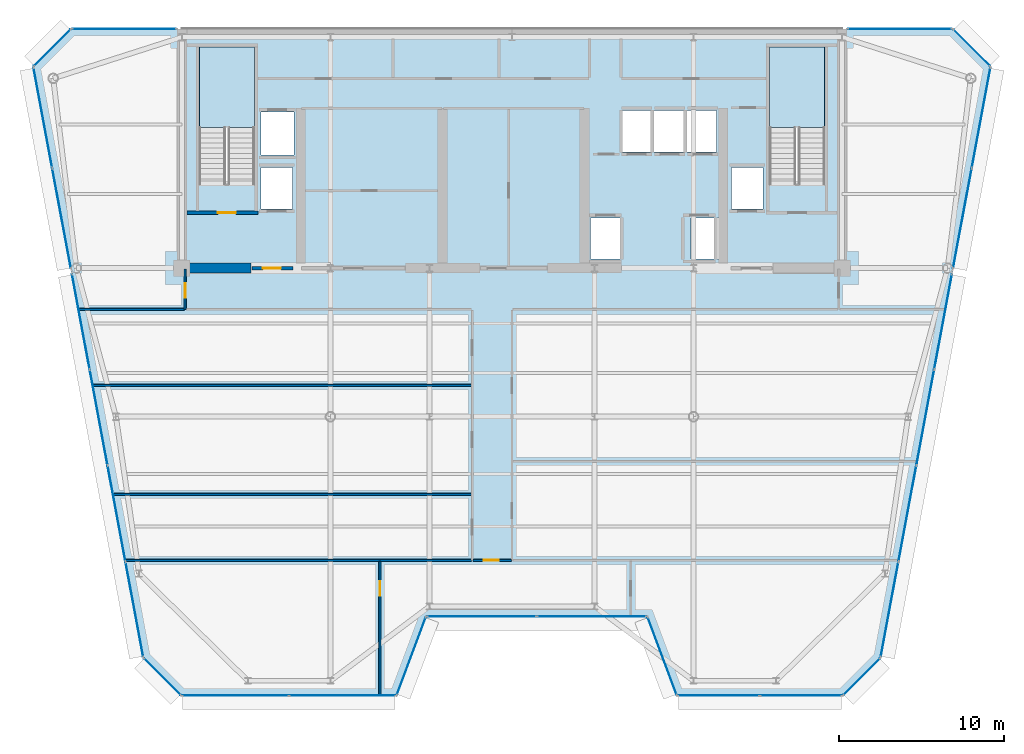
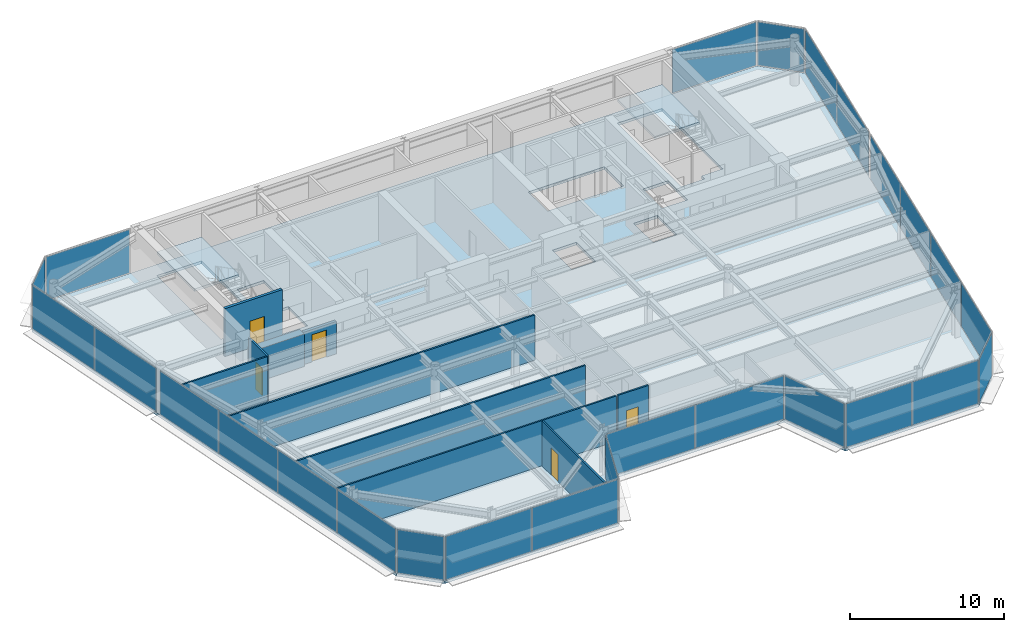
# One storey, part 9 of 18: 26 plates, 10 walls, 5 doors, 3 slabs, 5 openings, 17 elements without a shape of their own.
"""IFC4 building model written with IfcOpenShell, lengths in metres."""

from ifc_helpers import new_model, si_unit, direction, frame, frame_2d, origin, origin_2d, place, context, subcontext, project, spatial, polyline, rectangle, outline, extrude, source, transform, mapped, material, layer, layer_set, type_object, element, fill, aggregate, save


model = new_model("IFC4")

# Units and contexts
model_context = context("Model", 3, precision=1e-05, world=origin(), true_north=direction((0.0, 1.0)))
body_context = subcontext(model_context, "Body", "Model", "MODEL_VIEW")
ifc_project = project(units=[si_unit("LENGTHUNIT", "METRE"), si_unit("AREAUNIT", "SQUARE_METRE"), si_unit("VOLUMEUNIT", "CUBIC_METRE"), si_unit("PLANEANGLEUNIT", "RADIAN"), si_unit("MASSUNIT", "GRAM", prefix="KILO")], contexts=[model_context])

# Site, building, storey
site_placement = place(None, origin())
site = spatial("IfcSite", under=ifc_project, at=site_placement, CompositionType="ELEMENT")
building_placement = place(site_placement, origin())
building = spatial("IfcBuilding", under=site, at=building_placement, Name="Vaeldorn Concourse Tower", CompositionType="ELEMENT")
storey_placement = place(building_placement, frame((0.0, 0.0, 242.199951171875)))
storey = spatial("IfcBuildingStorey", under=building, at=storey_placement, Name="L62", CompositionType="ELEMENT", Elevation=242.199951171875)

# Stair, slab
ifc_material_1 = material(Name="Precast concrete C40/50", Category="concrete")
stair_type = type_object("IfcStairType", Name="STR-DOG-24x158", PredefinedType="HALF_TURN_STAIR", material=ifc_material_1)
stair_1_placement = place(storey_placement, origin())
stair_1 = element("IfcStair", 1, at=stair_1_placement, inside=storey, type_object=stair_type, Name="L62 West Core Exit Stair ST-1", PredefinedType="HALF_TURN_STAIR")
ifc_material_2 = material(Name="Concrete C40/50", Category="concrete")
ifc_layer_1 = layer(ifc_material_2, 0.199951171875)
ifc_layer_set_1 = layer_set([ifc_layer_1], Name="Concrete C40/50")
slab_type_1 = type_object("IfcSlabType", Name="SL-STAIR-LANDING", PredefinedType="LANDING", material=ifc_layer_set_1)
slab_1_placement = place(storey_placement, frame((0.0, 0.0, 1.699951171875)))
slab_1 = element("IfcSlab", 2, at=slab_1_placement, type_object=slab_type_1, Name="ST-1 landing 1", PredefinedType="LANDING", context=body_context, shape_type="SweptSolid", body=[
    extrude(outline(polyline([(18.39990234375, 45.010009765625), (18.39990234375, 49.89990234375), (15.050048828125, 49.89990234375), (15.050048828125, 45.010009765625), (18.39990234375, 45.010009765625)])), origin(), (0.0, 0.0, 1.0), 0.2001953125),
])
aggregate(stair_1, [slab_1])

stair_2_placement = place(storey_placement, origin())
stair_2 = element("IfcStair", 3, at=stair_2_placement, inside=storey, type_object=stair_type, Name="L62 East Core Exit Stair ST-2", PredefinedType="HALF_TURN_STAIR")
slab_2_placement = place(storey_placement, frame((0.0, 0.0, 1.699951171875)))
slab_2 = element("IfcSlab", 4, at=slab_2_placement, type_object=slab_type_1, Name="ST-2 landing 1", PredefinedType="LANDING", context=body_context, shape_type="SweptSolid", body=[
    extrude(outline(polyline([(52.949951171875, 45.010009765625), (52.949951171875, 49.89990234375), (49.60009765625, 49.89990234375), (49.60009765625, 45.010009765625), (52.949951171875, 45.010009765625)])), origin(), (0.0, 0.0, 1.0), 0.2001953125),
])
aggregate(stair_2, [slab_2])

# Slab
ifc_layer_2 = layer(ifc_material_2, 0.219970703125)
ifc_layer_set_2 = layer_set([ifc_layer_2], Name="Concrete C40/50")
slab_type_2 = type_object("IfcSlabType", Name="SL-TYP-220", PredefinedType="FLOOR", material=ifc_layer_set_2)
slab_3_placement = place(storey_placement, frame((0.0, 0.0, -0.219970703125)))
element("IfcSlab", 5, at=slab_3_placement, inside=storey, type_object=slab_type_2, Name="Structural Floor Slab L62", PredefinedType="FLOOR", context=body_context, shape_type="SweptSolid", body=[
    extrude(outline(polyline([(13.966064453125, 10.60009765625), (27.0, 10.60009765625), (28.800048828125, 15.39990234375), (42.199951171875, 15.39990234375), (44.0, 10.60009765625), (54.033935546875, 10.60009765625), (56.333984375, 12.89990234375), (63.0, 48.699951171875), (60.699951171875, 51.0), (7.300048828125, 51.0), (5.0, 48.699951171875), (11.666015625, 12.89990234375), (13.966064453125, 10.60009765625)]), holes=[polyline([(18.39990234375, 42.0), (18.39990234375, 49.89990234375), (15.050048828125, 49.89990234375), (15.050048828125, 41.60009765625), (16.800048828125, 41.60009765625), (16.800048828125, 42.0), (18.39990234375, 42.0)]), polyline([(52.949951171875, 42.0), (52.949951171875, 49.89990234375), (49.60009765625, 49.89990234375), (49.60009765625, 41.60009765625), (51.35009765625, 41.60009765625), (51.35009765625, 42.0), (52.949951171875, 42.0)]), polyline([(38.75, 37.050048828125), (40.550048828125, 37.050048828125), (40.550048828125, 39.550048828125), (38.75, 39.550048828125), (38.75, 37.050048828125)]), polyline([(44.85009765625, 37.050048828125), (46.64990234375, 37.050048828125), (46.64990234375, 39.550048828125), (44.85009765625, 39.550048828125), (44.85009765625, 37.050048828125)]), polyline([(40.699951171875, 43.550048828125), (46.39990234375, 43.550048828125), (46.39990234375, 46.050048828125), (40.699951171875, 46.050048828125), (40.699951171875, 43.550048828125)]), polyline([(18.800048828125, 43.35009765625), (20.800048828125, 43.35009765625), (20.800048828125, 45.949951171875), (18.800048828125, 45.949951171875), (18.800048828125, 43.35009765625)]), polyline([(18.800048828125, 40.10009765625), (20.699951171875, 40.10009765625), (20.699951171875, 42.60009765625), (18.800048828125, 42.60009765625), (18.800048828125, 40.10009765625)]), polyline([(47.300048828125, 40.10009765625), (49.199951171875, 40.10009765625), (49.199951171875, 42.60009765625), (47.300048828125, 42.60009765625), (47.300048828125, 40.10009765625)])]), origin(), (0.0, 0.0, 1.0), 0.219970703125),
])

# Curtain wall, plate
ifc_material_3 = material(Name="Anodised Bronze Aluminium", Category="aluminium")
ifc_layer_3 = layer(ifc_material_3, 0.179931640625)
ifc_layer_set_3 = layer_set([ifc_layer_3], Name="Anodised Bronze Aluminium")
curtain_wall_type = type_object("IfcCurtainWallType", Name="CW-SYS-05", PredefinedType="NOTDEFINED", material=ifc_layer_set_3)
curtain_wall_1_placement = place(storey_placement, origin())
curtain_wall_1 = element("IfcCurtainWall", 6, at=curtain_wall_1_placement, inside=storey, type_object=curtain_wall_type, Name="Unitised Curtain Wall CW-L62-E02-1", PredefinedType="NOTDEFINED")
ifc_material_4 = material(Name="Bronze Tinted Low-E Insulated Glass", Category="glass")
ifc_layer_4 = layer(ifc_material_4, 0.031982421875)
ifc_layer_set_4 = layer_set([ifc_layer_4], Name="Bronze Tinted Low-E Insulated Glass")
plate_type = type_object("IfcPlateType", Name="CWP-VISION-32", PredefinedType="CURTAIN_PANEL", material=ifc_layer_set_4)
shared_shape_1 = source(origin(), body_context, "Body", "SweptSolid", [
    extrude(rectangle(XDim=4.996337890625, YDim=0.031982421875, at=origin_2d()), origin(), (0.0, 0.0, 1.0), 3.449951171875),
])
plate_1_placement = place(storey_placement, frame((27.89990234375, 13.0, 0.06494140625), z_axis=(0.0, 0.0, 1.0), x_axis=(0.351123441595, 0.936329177566, 0.0)))
plate_1 = element("IfcPlate", 7, at=plate_1_placement, type_object=plate_type, Name="CW-05 panel 1.1", PredefinedType="CURTAIN_PANEL", context=body_context, shape_type="MappedRepresentation", body=[
    mapped(shared_shape_1, transform((0.0, 0.0, 0.0), scale=1.0)),
])
aggregate(curtain_wall_1, [plate_1])

curtain_wall_2_placement = place(storey_placement, origin())
curtain_wall_2 = element("IfcCurtainWall", 8, at=curtain_wall_2_placement, inside=storey, type_object=curtain_wall_type, Name="Unitised Curtain Wall CW-L62-E04-1", PredefinedType="NOTDEFINED")
plate_2_placement = place(storey_placement, frame((43.10009765625, 13.0, 0.06494140625), z_axis=(0.0, 0.0, 1.0), x_axis=(0.351123441595, -0.936329177566, 0.0)))
plate_2 = element("IfcPlate", 9, at=plate_2_placement, type_object=plate_type, Name="CW-05 panel 1.1", PredefinedType="CURTAIN_PANEL", context=body_context, shape_type="MappedRepresentation", body=[
    mapped(shared_shape_1, transform((0.0, 0.0, 0.0), scale=1.0)),
])
aggregate(curtain_wall_2, [plate_2])

# Curtain wall, plates
curtain_wall_3_placement = place(storey_placement, origin())
curtain_wall_3 = element("IfcCurtainWall", 10, at=curtain_wall_3_placement, inside=storey, type_object=curtain_wall_type, Name="Unitised Curtain Wall CW-L62-E03-1", PredefinedType="NOTDEFINED")
shared_shape_2 = source(origin(), body_context, "Body", "SweptSolid", [
    extrude(rectangle(XDim=6.6025390625, YDim=0.031982421875, at=origin_2d()), origin(), (0.0, 0.0, 1.0), 3.449951171875),
])
plate_3_placement = place(storey_placement, frame((32.166259765625, 15.39990234375, 0.06494140625), z_axis=(0.0, 0.0, 1.0), x_axis=(1.0, 0.0, 0.0)))
plate_3 = element("IfcPlate", 11, at=plate_3_placement, type_object=plate_type, Name="CW-05 panel 1.1", PredefinedType="CURTAIN_PANEL", context=body_context, shape_type="MappedRepresentation", body=[
    mapped(shared_shape_2, transform((0.0, 0.0, 0.0), scale=1.0)),
])
plate_4_placement = place(storey_placement, frame((38.833740234375, 15.39990234375, 0.06494140625), z_axis=(0.0, 0.0, 1.0), x_axis=(1.0, 0.0, 0.0)))
plate_4 = element("IfcPlate", 12, at=plate_4_placement, type_object=plate_type, Name="CW-05 panel 2.1", PredefinedType="CURTAIN_PANEL", context=body_context, shape_type="MappedRepresentation", body=[
    mapped(shared_shape_2, transform((0.0, 0.0, 0.0), scale=1.0)),
])
aggregate(curtain_wall_3, [plate_3, plate_4])

# Curtain wall, plate
curtain_wall_4_placement = place(storey_placement, origin())
curtain_wall_4 = element("IfcCurtainWall", 13, at=curtain_wall_4_placement, inside=storey, type_object=curtain_wall_type, Name="Unitised Curtain Wall CW-L62-E06-1", PredefinedType="NOTDEFINED")
shared_shape_3 = source(origin(), body_context, "Body", "SweptSolid", [
    extrude(rectangle(XDim=3.122802734375, YDim=0.031982421875, at=origin_2d()), origin(), (0.0, 0.0, 1.0), 3.449951171875),
])
plate_5_placement = place(storey_placement, frame((55.18408203125, 11.75, 0.06494140625), z_axis=(0.0, 0.0, 1.0), x_axis=(0.707106781187, 0.707106781187, 0.0)))
plate_5 = element("IfcPlate", 14, at=plate_5_placement, type_object=plate_type, Name="CW-05 panel 1.1", PredefinedType="CURTAIN_PANEL", context=body_context, shape_type="MappedRepresentation", body=[
    mapped(shared_shape_3, transform((0.0, 0.0, 0.0), scale=1.0)),
])
aggregate(curtain_wall_4, [plate_5])

curtain_wall_5_placement = place(storey_placement, origin())
curtain_wall_5 = element("IfcCurtainWall", 15, at=curtain_wall_5_placement, inside=storey, type_object=curtain_wall_type, Name="Unitised Curtain Wall CW-L62-E08-1", PredefinedType="NOTDEFINED")
plate_6_placement = place(storey_placement, frame((61.85009765625, 49.85009765625, 0.06494140625), z_axis=(0.0, 0.0, 1.0), x_axis=(-0.707106781187, 0.707106781187, 0.0)))
plate_6 = element("IfcPlate", 16, at=plate_6_placement, type_object=plate_type, Name="CW-05 panel 1.1", PredefinedType="CURTAIN_PANEL", context=body_context, shape_type="MappedRepresentation", body=[
    mapped(shared_shape_3, transform((0.0, 0.0, 0.0), scale=1.0)),
])
aggregate(curtain_wall_5, [plate_6])

curtain_wall_6_placement = place(storey_placement, origin())
curtain_wall_6 = element("IfcCurtainWall", 17, at=curtain_wall_6_placement, inside=storey, type_object=curtain_wall_type, Name="Unitised Curtain Wall CW-L62-E10-1", PredefinedType="NOTDEFINED")
plate_7_placement = place(storey_placement, frame((6.14990234375, 49.85009765625, 0.06494140625), z_axis=(0.0, 0.0, 1.0), x_axis=(-0.707106781187, -0.707106781187, 0.0)))
plate_7 = element("IfcPlate", 18, at=plate_7_placement, type_object=plate_type, Name="CW-05 panel 1.1", PredefinedType="CURTAIN_PANEL", context=body_context, shape_type="MappedRepresentation", body=[
    mapped(shared_shape_3, transform((0.0, 0.0, 0.0), scale=1.0)),
])
aggregate(curtain_wall_6, [plate_7])

curtain_wall_7_placement = place(storey_placement, origin())
curtain_wall_7 = element("IfcCurtainWall", 19, at=curtain_wall_7_placement, inside=storey, type_object=curtain_wall_type, Name="Unitised Curtain Wall CW-L62-E12-1", PredefinedType="NOTDEFINED")
plate_8_placement = place(storey_placement, frame((12.81591796875, 11.75, 0.06494140625), z_axis=(0.0, 0.0, 1.0), x_axis=(0.707106781187, -0.707106781187, 0.0)))
plate_8 = element("IfcPlate", 20, at=plate_8_placement, type_object=plate_type, Name="CW-05 panel 1.1", PredefinedType="CURTAIN_PANEL", context=body_context, shape_type="MappedRepresentation", body=[
    mapped(shared_shape_3, transform((0.0, 0.0, 0.0), scale=1.0)),
])
aggregate(curtain_wall_7, [plate_8])

curtain_wall_8_placement = place(storey_placement, origin())
curtain_wall_8 = element("IfcCurtainWall", 21, at=curtain_wall_8_placement, inside=storey, type_object=curtain_wall_type, Name="Unitised Curtain Wall CW-L62-E09-1", PredefinedType="NOTDEFINED")
shared_shape_4 = source(origin(), body_context, "Body", "SweptSolid", [
    extrude(rectangle(XDim=6.27490234375, YDim=0.031982421875, at=origin_2d()), origin(), (0.0, 0.0, 1.0), 3.449951171875),
])
plate_9_placement = place(storey_placement, frame((57.49755859375, 51.0, 0.06494140625), z_axis=(0.0, 0.0, 1.0), x_axis=(-1.0, 0.0, 0.0)))
plate_9 = element("IfcPlate", 22, at=plate_9_placement, type_object=plate_type, Name="CW-05 panel 1.1", PredefinedType="CURTAIN_PANEL", context=body_context, shape_type="MappedRepresentation", body=[
    mapped(shared_shape_4, transform((0.0, 0.0, 0.0), scale=1.0)),
])
aggregate(curtain_wall_8, [plate_9])

curtain_wall_9_placement = place(storey_placement, origin())
curtain_wall_9 = element("IfcCurtainWall", 23, at=curtain_wall_9_placement, inside=storey, type_object=curtain_wall_type, Name="Unitised Curtain Wall CW-L62-E09-2", PredefinedType="NOTDEFINED")
plate_10_placement = place(storey_placement, frame((10.50244140625, 51.0, 0.06494140625), z_axis=(0.0, 0.0, 1.0), x_axis=(-1.0, 0.0, 0.0)))
plate_10 = element("IfcPlate", 24, at=plate_10_placement, type_object=plate_type, Name="CW-05 panel 1.1", PredefinedType="CURTAIN_PANEL", context=body_context, shape_type="MappedRepresentation", body=[
    mapped(shared_shape_4, transform((0.0, 0.0, 0.0), scale=1.0)),
])
aggregate(curtain_wall_9, [plate_10])

# Curtain wall, plates
curtain_wall_10_placement = place(storey_placement, origin())
curtain_wall_10 = element("IfcCurtainWall", 25, at=curtain_wall_10_placement, inside=storey, type_object=curtain_wall_type, Name="Unitised Curtain Wall CW-L62-E07-1", PredefinedType="NOTDEFINED")
shared_shape_5 = source(origin(), body_context, "Body", "SweptSolid", [
    extrude(rectangle(XDim=5.82373046875, YDim=0.031982421875, at=origin_2d()), origin(), (0.0, 0.0, 1.0), 3.449951171875),
])
plate_11_placement = place(storey_placement, frame((56.87890625, 15.82666015625, 0.06494140625), z_axis=(0.0, 0.0, 1.0), x_axis=(0.18305510739, 0.983102653673, 0.0)))
plate_11 = element("IfcPlate", 26, at=plate_11_placement, type_object=plate_type, Name="CW-05 panel 1.1", PredefinedType="CURTAIN_PANEL", context=body_context, shape_type="MappedRepresentation", body=[
    mapped(shared_shape_5, transform((0.0, 0.0, 0.0), scale=1.0)),
])
plate_12_placement = place(storey_placement, frame((60.124755859375, 33.25830078125, 0.06494140625), z_axis=(0.0, 0.0, 1.0), x_axis=(0.18305510739, 0.983102653673, 0.0)))
plate_12 = element("IfcPlate", 27, at=plate_12_placement, type_object=plate_type, Name="CW-05 panel 4.1", PredefinedType="CURTAIN_PANEL", context=body_context, shape_type="MappedRepresentation", body=[
    mapped(shared_shape_5, transform((0.0, 0.0, 0.0), scale=1.0)),
])

curtain_wall_11_placement = place(storey_placement, origin())
curtain_wall_11 = element("IfcCurtainWall", 28, at=curtain_wall_11_placement, inside=storey, type_object=curtain_wall_type, Name="Unitised Curtain Wall CW-L62-E11-2", PredefinedType="NOTDEFINED")
plate_13_placement = place(storey_placement, frame((7.875244140625, 33.25830078125, 0.06494140625), z_axis=(0.0, 0.0, 1.0), x_axis=(0.18305510739, -0.983102653673, 0.0)))
plate_13 = element("IfcPlate", 29, at=plate_13_placement, type_object=plate_type, Name="CW-05 panel 1.1", PredefinedType="CURTAIN_PANEL", context=body_context, shape_type="MappedRepresentation", body=[
    mapped(shared_shape_5, transform((0.0, 0.0, 0.0), scale=1.0)),
])
plate_14_placement = place(storey_placement, frame((11.12109375, 15.82666015625, 0.06494140625), z_axis=(0.0, 0.0, 1.0), x_axis=(0.18305510739, -0.983102653673, 0.0)))
plate_14 = element("IfcPlate", 30, at=plate_14_placement, type_object=plate_type, Name="CW-05 panel 4.1", PredefinedType="CURTAIN_PANEL", context=body_context, shape_type="MappedRepresentation", body=[
    mapped(shared_shape_5, transform((0.0, 0.0, 0.0), scale=1.0)),
])

# Plate
shared_shape_6 = source(origin(), body_context, "Body", "SweptSolid", [
    extrude(rectangle(XDim=5.856201171875, YDim=0.031982421875, at=origin_2d()), origin(), (0.0, 0.0, 1.0), 3.449951171875),
])
plate_15_placement = place(storey_placement, frame((57.9599609375, 21.6318359375, 0.06494140625), z_axis=(0.0, 0.0, 1.0), x_axis=(0.18305510739, 0.983102653673, 0.0)))
plate_15 = element("IfcPlate", 31, at=plate_15_placement, type_object=plate_type, Name="CW-05 panel 2.1", PredefinedType="CURTAIN_PANEL", context=body_context, shape_type="MappedRepresentation", body=[
    mapped(shared_shape_6, transform((0.0, 0.0, 0.0), scale=1.0)),
])

plate_16_placement = place(storey_placement, frame((59.043701171875, 27.453125, 0.06494140625), z_axis=(0.0, 0.0, 1.0), x_axis=(0.18305510739, 0.983102653673, 0.0)))
plate_16 = element("IfcPlate", 32, at=plate_16_placement, type_object=plate_type, Name="CW-05 panel 3.1", PredefinedType="CURTAIN_PANEL", context=body_context, shape_type="MappedRepresentation", body=[
    mapped(shared_shape_6, transform((0.0, 0.0, 0.0), scale=1.0)),
])

aggregate(curtain_wall_10, [plate_11, plate_15, plate_16, plate_12])

plate_17_placement = place(storey_placement, frame((8.956298828125, 27.453125, 0.06494140625), z_axis=(0.0, 0.0, 1.0), x_axis=(0.18305510739, -0.983102653673, 0.0)))
plate_17 = element("IfcPlate", 33, at=plate_17_placement, type_object=plate_type, Name="CW-05 panel 2.1", PredefinedType="CURTAIN_PANEL", context=body_context, shape_type="MappedRepresentation", body=[
    mapped(shared_shape_6, transform((0.0, 0.0, 0.0), scale=1.0)),
])

plate_18_placement = place(storey_placement, frame((10.0400390625, 21.6318359375, 0.06494140625), z_axis=(0.0, 0.0, 1.0), x_axis=(0.18305510739, -0.983102653673, 0.0)))
plate_18 = element("IfcPlate", 34, at=plate_18_placement, type_object=plate_type, Name="CW-05 panel 3.1", PredefinedType="CURTAIN_PANEL", context=body_context, shape_type="MappedRepresentation", body=[
    mapped(shared_shape_6, transform((0.0, 0.0, 0.0), scale=1.0)),
])

aggregate(curtain_wall_11, [plate_13, plate_17, plate_18, plate_14])

# Curtain wall, plates
curtain_wall_12_placement = place(storey_placement, origin())
curtain_wall_12 = element("IfcCurtainWall", 35, at=curtain_wall_12_placement, inside=storey, type_object=curtain_wall_type, Name="Unitised Curtain Wall CW-L62-E07-2", PredefinedType="NOTDEFINED")
shared_shape_7 = source(origin(), body_context, "Body", "SweptSolid", [
    extrude(rectangle(XDim=6.143798828125, YDim=0.031982421875, at=origin_2d()), origin(), (0.0, 0.0, 1.0), 3.449951171875),
])
plate_19_placement = place(storey_placement, frame((61.289306640625, 39.51220703125, 0.06494140625), z_axis=(0.0, 0.0, 1.0), x_axis=(0.183054493257, 0.983102768025, 0.0)))
plate_19 = element("IfcPlate", 36, at=plate_19_placement, type_object=plate_type, Name="CW-05 panel 1.1", PredefinedType="CURTAIN_PANEL", context=body_context, shape_type="MappedRepresentation", body=[
    mapped(shared_shape_7, transform((0.0, 0.0, 0.0), scale=1.0)),
])
plate_20_placement = place(storey_placement, frame((62.42578125, 45.6162109375, 0.06494140625), z_axis=(0.0, 0.0, 1.0), x_axis=(0.183054493257, 0.983102768025, 0.0)))
plate_20 = element("IfcPlate", 37, at=plate_20_placement, type_object=plate_type, Name="CW-05 panel 2.1", PredefinedType="CURTAIN_PANEL", context=body_context, shape_type="MappedRepresentation", body=[
    mapped(shared_shape_7, transform((0.0, 0.0, 0.0), scale=1.0)),
])
aggregate(curtain_wall_12, [plate_19, plate_20])

curtain_wall_13_placement = place(storey_placement, origin())
curtain_wall_13 = element("IfcCurtainWall", 38, at=curtain_wall_13_placement, inside=storey, type_object=curtain_wall_type, Name="Unitised Curtain Wall CW-L62-E11-1", PredefinedType="NOTDEFINED")
plate_21_placement = place(storey_placement, frame((5.57421875, 45.6162109375, 0.06494140625), z_axis=(0.0, 0.0, 1.0), x_axis=(0.183054493257, -0.983102768025, 0.0)))
plate_21 = element("IfcPlate", 39, at=plate_21_placement, type_object=plate_type, Name="CW-05 panel 1.1", PredefinedType="CURTAIN_PANEL", context=body_context, shape_type="MappedRepresentation", body=[
    mapped(shared_shape_7, transform((0.0, 0.0, 0.0), scale=1.0)),
])
plate_22_placement = place(storey_placement, frame((6.710693359375, 39.51220703125, 0.06494140625), z_axis=(0.0, 0.0, 1.0), x_axis=(0.183054493257, -0.983102768025, 0.0)))
plate_22 = element("IfcPlate", 40, at=plate_22_placement, type_object=plate_type, Name="CW-05 panel 2.1", PredefinedType="CURTAIN_PANEL", context=body_context, shape_type="MappedRepresentation", body=[
    mapped(shared_shape_7, transform((0.0, 0.0, 0.0), scale=1.0)),
])
aggregate(curtain_wall_13, [plate_21, plate_22])

curtain_wall_14_placement = place(storey_placement, origin())
curtain_wall_14 = element("IfcCurtainWall", 41, at=curtain_wall_14_placement, inside=storey, type_object=curtain_wall_type, Name="Unitised Curtain Wall CW-L62-E01-1", PredefinedType="NOTDEFINED")
shared_shape_8 = source(origin(), body_context, "Body", "SweptSolid", [
    extrude(rectangle(XDim=6.41943359375, YDim=0.031982421875, at=origin_2d()), origin(), (0.0, 0.0, 1.0), 3.449951171875),
])
plate_23_placement = place(storey_placement, frame((17.24072265625, 10.60009765625, 0.06494140625), z_axis=(0.0, 0.0, 1.0), x_axis=(1.0, 0.0, 0.0)))
plate_23 = element("IfcPlate", 42, at=plate_23_placement, type_object=plate_type, Name="CW-05 panel 1.1", PredefinedType="CURTAIN_PANEL", context=body_context, shape_type="MappedRepresentation", body=[
    mapped(shared_shape_8, transform((0.0, 0.0, 0.0), scale=1.0)),
])
plate_24_placement = place(storey_placement, frame((23.725341796875, 10.60009765625, 0.06494140625), z_axis=(0.0, 0.0, 1.0), x_axis=(1.0, 0.0, 0.0)))
plate_24 = element("IfcPlate", 43, at=plate_24_placement, type_object=plate_type, Name="CW-05 panel 2.1", PredefinedType="CURTAIN_PANEL", context=body_context, shape_type="MappedRepresentation", body=[
    mapped(shared_shape_8, transform((0.0, 0.0, 0.0), scale=1.0)),
])
aggregate(curtain_wall_14, [plate_23, plate_24])

curtain_wall_15_placement = place(storey_placement, origin())
curtain_wall_15 = element("IfcCurtainWall", 44, at=curtain_wall_15_placement, inside=storey, type_object=curtain_wall_type, Name="Unitised Curtain Wall CW-L62-E05-1", PredefinedType="NOTDEFINED")
shared_shape_9 = source(origin(), body_context, "Body", "SweptSolid", [
    extrude(rectangle(XDim=4.91943359375, YDim=0.031982421875, at=origin_2d()), origin(), (0.0, 0.0, 1.0), 3.449951171875),
])
plate_25_placement = place(storey_placement, frame((46.524658203125, 10.60009765625, 0.06494140625), z_axis=(0.0, 0.0, 1.0), x_axis=(1.0, 0.0, 0.0)))
plate_25 = element("IfcPlate", 45, at=plate_25_placement, type_object=plate_type, Name="CW-05 panel 1.1", PredefinedType="CURTAIN_PANEL", context=body_context, shape_type="MappedRepresentation", body=[
    mapped(shared_shape_9, transform((0.0, 0.0, 0.0), scale=1.0)),
])
plate_26_placement = place(storey_placement, frame((51.50927734375, 10.60009765625, 0.06494140625), z_axis=(0.0, 0.0, 1.0), x_axis=(1.0, 0.0, 0.0)))
plate_26 = element("IfcPlate", 46, at=plate_26_placement, type_object=plate_type, Name="CW-05 panel 2.1", PredefinedType="CURTAIN_PANEL", context=body_context, shape_type="MappedRepresentation", body=[
    mapped(shared_shape_9, transform((0.0, 0.0, 0.0), scale=1.0)),
])
aggregate(curtain_wall_15, [plate_25, plate_26])

# Wall
ifc_material_5 = material(Name="Concrete C50/60", Category="concrete")
ifc_layer_5 = layer(ifc_material_5, 0.60009765625)
ifc_layer_set_5 = layer_set([ifc_layer_5], Name="Concrete C50/60")
wall_type_1 = type_object("IfcWallType", Name="WL-CORE-600", PredefinedType="SHEAR", material=ifc_layer_set_5)
wall_1_placement = place(storey_placement, frame((14.320068359375, 36.5, 0.0), z_axis=(0.0, 0.0, 1.0), x_axis=(1.0, 0.0, 0.0)))
element("IfcWall", 47, at=wall_1_placement, inside=storey, type_object=wall_type_1, Name="Rear Core Shear Wall L62 S1", PredefinedType="SHEAR", context=body_context, shape_type="SweptSolid", body=[
    extrude(rectangle(XDim=3.8798828125, YDim=0.60009765625, at=frame_2d((1.93994140625, 0.0))), origin(), (0.0, 0.0, 1.0), 2.580078125),
])

# Wall, opening, door
ifc_material_6 = material(Name="Gypsum Board Partition", Category="gypsum")
ifc_layer_6 = layer(ifc_material_6, 0.1201171875)
ifc_layer_set_6 = layer_set([ifc_layer_6], Name="Gypsum Board Partition")
wall_type_2 = type_object("IfcWallType", Name="WL-PART-120", PredefinedType="PARTITIONING", material=ifc_layer_set_6)
wall_2_placement = place(storey_placement, frame((14.199951171875, 34.0, 0.0), z_axis=(0.0, 0.0, 1.0), x_axis=(0.0, 1.0, 0.0)))
wall_2 = element("IfcWall", 48, at=wall_2_placement, inside=storey, type_object=wall_type_2, Name="Interior Wall PW-L62-C3W", PredefinedType="PARTITIONING", context=body_context, shape_type="SweptSolid", body=[
    extrude(rectangle(XDim=2.43994140625, YDim=0.1201171875, at=frame_2d((1.219970703125, 0.0))), origin(), (0.0, 0.0, 1.0), 3.580078125),
])
opening_1_placement = place(wall_2_placement, frame((0.699951171875, 0.0, 0.0)))
opening_1 = element("IfcOpeningElement", 49, at=opening_1_placement, cuts=wall_2, Name="Opening D-03", PredefinedType="OPENING", context=body_context, shape_type="SweptSolid", body=[
    extrude(rectangle(XDim=0.89990234375, YDim=2.14990234375, at=frame_2d((0.449951171875, 1.074951171875))), frame((0.0, 0.070068359375, 0.0), z_axis=(0.0, -1.0, 0.0), x_axis=(1.0, 0.0, 0.0)), (0.0, 0.0, 1.0), 0.14013671875),
])
ifc_material_7 = material(Name="Acoustic Bronze-Framed Glass Door", Category="glass")
door_type_1 = type_object("IfcDoorType", Name="DR-INT-900", OperationType="NOTDEFINED", PredefinedType="DOOR", material=ifc_material_7)
shared_shape_10 = source(origin(), body_context, "Body", "SweptSolid", [
    extrude(rectangle(XDim=0.89990234375, YDim=2.14990234375, at=frame_2d((0.449951171875, 1.074951171875))), frame((0.0, 0.02490234375, 0.0), z_axis=(0.0, -1.0, 0.0), x_axis=(1.0, 0.0, 0.0)), (0.0, 0.0, 1.0), 0.050048828125),
])
door_1_placement = place(opening_1_placement, origin())
door_1 = element("IfcDoor", 50, at=door_1_placement, inside=storey, type_object=door_type_1, Name="Interior Door DR-L62-Z3NW", OperationType="SINGLE_SWING_LEFT", OverallHeight=2.14990234375, OverallWidth=0.89990234375, PredefinedType="DOOR", context=body_context, shape_type="MappedRepresentation", body=[
    mapped(shared_shape_10, transform((0.0, 0.0, 0.0), scale=1.0)),
])
fill(opening_1, door_1)

wall_3_placement = place(storey_placement, frame((31.639892578125, 18.800048828125, 0.0), z_axis=(0.0, 0.0, 1.0), x_axis=(1.0, 0.0, 0.0)))
wall_3 = element("IfcWall", 51, at=wall_3_placement, inside=storey, type_object=wall_type_2, Name="Interior Wall PW-L62-CSPS", PredefinedType="PARTITIONING", context=body_context, shape_type="SweptSolid", body=[
    extrude(rectangle(XDim=2.320068359375, YDim=0.1201171875, at=frame_2d((1.16015625, 0.0))), origin(), (0.0, 0.0, 1.0), 3.580078125),
])
opening_2_placement = place(wall_3_placement, frame((0.64990234375, 0.0, 0.0)))
opening_2 = element("IfcOpeningElement", 52, at=opening_2_placement, cuts=wall_3, Name="Opening D-03", PredefinedType="OPENING", context=body_context, shape_type="SweptSolid", body=[
    extrude(rectangle(XDim=0.89990234375, YDim=2.14990234375, at=frame_2d((0.449951171875, 1.074951171875))), frame((0.0, 0.070068359375, 0.0), z_axis=(0.0, -1.0, 0.0), x_axis=(1.0, 0.0, 0.0)), (0.0, 0.0, 1.0), 0.14013671875),
])
door_2_placement = place(opening_2_placement, origin())
door_2 = element("IfcDoor", 53, at=door_2_placement, inside=storey, type_object=door_type_1, Name="Interior Door DR-L62-Z3SM", OperationType="SINGLE_SWING_LEFT", OverallHeight=2.14990234375, OverallWidth=0.89990234375, PredefinedType="DOOR", context=body_context, shape_type="MappedRepresentation", body=[
    mapped(shared_shape_10, transform((0.0, 0.0, 0.0), scale=1.0)),
])
fill(opening_2, door_2)

# Walls
wall_4_placement = place(storey_placement, frame((7.777099609375, 34.0, 0.0), z_axis=(0.0, 0.0, 1.0), x_axis=(1.0, 0.0, 0.0)))
element("IfcWall", 54, at=wall_4_placement, inside=storey, type_object=wall_type_2, Name="Interior Wall PW-L62-Z3NWB", PredefinedType="PARTITIONING", context=body_context, shape_type="SweptSolid", body=[
    extrude(rectangle(XDim=6.36279296875, YDim=0.1201171875, at=frame_2d((3.181396484375, 0.0))), origin(), (0.0, 0.0, 1.0), 3.580078125),
])
wall_5_placement = place(storey_placement, frame((9.862548828125, 22.800048828125, 0.0), z_axis=(0.0, 0.0, 1.0), x_axis=(1.0, 0.0, 0.0)))
element("IfcWall", 55, at=wall_5_placement, inside=storey, type_object=wall_type_2, Name="Interior Wall PW-L62-Z3WY1", PredefinedType="PARTITIONING", context=body_context, shape_type="SweptSolid", body=[
    extrude(rectangle(XDim=21.677490234375, YDim=0.1201171875, at=frame_2d((10.8388671875, 0.0))), origin(), (0.0, 0.0, 1.0), 3.580078125),
])
wall_6_placement = place(storey_placement, frame((8.6337890625, 29.39990234375, 0.0), z_axis=(0.0, 0.0, 1.0), x_axis=(1.0, 0.0, 0.0)))
element("IfcWall", 56, at=wall_6_placement, inside=storey, type_object=wall_type_2, Name="Interior Wall PW-L62-Z3WY2", PredefinedType="PARTITIONING", context=body_context, shape_type="SweptSolid", body=[
    extrude(rectangle(XDim=22.90625, YDim=0.1201171875, at=frame_2d((11.453125, 0.0))), origin(), (0.0, 0.0, 1.0), 3.580078125),
])
wall_7_placement = place(storey_placement, frame((10.607421875, 18.800048828125, 0.0), z_axis=(0.0, 0.0, 1.0), x_axis=(1.0, 0.0, 0.0)))
element("IfcWall", 57, at=wall_7_placement, inside=storey, type_object=wall_type_2, Name="Interior Wall PW-L62-Z3SWL", PredefinedType="PARTITIONING", context=body_context, shape_type="SweptSolid", body=[
    extrude(rectangle(XDim=20.9326171875, YDim=0.1201171875, at=frame_2d((10.46630859375, 0.0))), origin(), (0.0, 0.0, 1.0), 3.580078125),
])

# Wall, opening, door
wall_8_placement = place(storey_placement, frame((26.0, 10.639892578125, 0.0), z_axis=(0.0, 0.0, 1.0), x_axis=(0.0, 1.0, 0.0)))
wall_8 = element("IfcWall", 58, at=wall_8_placement, inside=storey, type_object=wall_type_2, Name="Interior Wall PW-L62-Z3SX1", PredefinedType="PARTITIONING", context=body_context, shape_type="SweptSolid", body=[
    extrude(rectangle(XDim=8.10009765625, YDim=0.1201171875, at=frame_2d((4.050048828125, 0.0))), origin(), (0.0, 0.0, 1.0), 3.580078125),
])
opening_3_placement = place(wall_8_placement, frame((6.0, 0.0, 0.0)))
opening_3 = element("IfcOpeningElement", 59, at=opening_3_placement, cuts=wall_8, Name="Opening D-03", PredefinedType="OPENING", context=body_context, shape_type="SweptSolid", body=[
    extrude(rectangle(XDim=0.89990234375, YDim=2.14990234375, at=frame_2d((0.449951171875, 1.074951171875))), frame((0.0, 0.070068359375, 0.0), z_axis=(0.0, -1.0, 0.0), x_axis=(1.0, 0.0, 0.0)), (0.0, 0.0, 1.0), 0.14013671875),
])
door_3_placement = place(opening_3_placement, origin())
door_3 = element("IfcDoor", 60, at=door_3_placement, inside=storey, type_object=door_type_1, Name="Interior Door DR-L62-Z3SX1", OperationType="SINGLE_SWING_RIGHT", OverallHeight=2.14990234375, OverallWidth=0.89990234375, PredefinedType="DOOR", context=body_context, shape_type="MappedRepresentation", body=[
    mapped(shared_shape_10, transform((0.0, 0.0, 0.0), scale=1.0)),
])
fill(opening_3, door_3)

ifc_layer_7 = layer(ifc_material_5, 0.199951171875)
ifc_layer_set_7 = layer_set([ifc_layer_7], Name="Concrete C50/60")
wall_type_3 = type_object("IfcWallType", Name="WL-SHAFT-200", PredefinedType="SOLIDWALL", material=ifc_layer_set_7)
wall_9_placement = place(storey_placement, frame((14.300048828125, 39.85009765625, 0.0), z_axis=(0.0, 0.0, 1.0), x_axis=(1.0, 0.0, 0.0)))
wall_9 = element("IfcWall", 61, at=wall_9_placement, inside=storey, type_object=wall_type_3, Name="Stair Shaft Wall CW-L62-ST-1-S", PredefinedType="SOLIDWALL", context=body_context, shape_type="SweptSolid", body=[
    extrude(rectangle(XDim=4.300048828125, YDim=0.199951171875, at=frame_2d((2.14990234375, 0.0))), origin(), (0.0, 0.0, 1.0), 3.800048828125),
])
opening_4_placement = place(wall_9_placement, frame((1.875, 0.0, 0.0)))
opening_4 = element("IfcOpeningElement", 62, at=opening_4_placement, cuts=wall_9, Name="Opening D-01", PredefinedType="OPENING", context=body_context, shape_type="SweptSolid", body=[
    extrude(rectangle(XDim=1.10009765625, YDim=2.14990234375, at=frame_2d((0.550048828125, 1.074951171875))), frame((0.0, 0.10986328125, 0.0), z_axis=(0.0, -1.0, 0.0), x_axis=(1.0, 0.0, 0.0)), (0.0, 0.0, 1.0), 0.219970703125),
])
ifc_material_8 = material(Name="Fire-Rated Timber and Steel Leaf", Category="steel")
door_type_2 = type_object("IfcDoorType", Name="DR-FD60-1100", OperationType="NOTDEFINED", PredefinedType="DOOR", material=ifc_material_8)
shared_shape_11 = source(origin(), body_context, "Body", "SweptSolid", [
    extrude(rectangle(XDim=1.10009765625, YDim=2.14990234375, at=frame_2d((0.550048828125, 1.074951171875))), frame((0.0, 0.02490234375, 0.0), z_axis=(0.0, -1.0, 0.0), x_axis=(1.0, 0.0, 0.0)), (0.0, 0.0, 1.0), 0.050048828125),
])
door_4_placement = place(opening_4_placement, origin())
door_4 = element("IfcDoor", 63, at=door_4_placement, inside=storey, type_object=door_type_2, Name="Interior Door DR-L62-ST-1", OperationType="SINGLE_SWING_LEFT", OverallHeight=2.14990234375, OverallWidth=1.10009765625, PredefinedType="DOOR", context=body_context, shape_type="MappedRepresentation", body=[
    mapped(shared_shape_11, transform((0.0, 0.0, 0.0), scale=1.0)),
])
fill(opening_4, door_4)

wall_10_placement = place(storey_placement, frame((18.25, 36.5, 0.0), z_axis=(0.0, 0.0, 1.0), x_axis=(1.0, 0.0, 0.0)))
wall_10 = element("IfcWall", 64, at=wall_10_placement, inside=storey, type_object=wall_type_3, Name="Interior Wall CW-L62-FF1S", PredefinedType="SOLIDWALL", context=body_context, shape_type="SweptSolid", body=[
    extrude(rectangle(XDim=2.469970703125, YDim=0.199951171875, at=frame_2d((1.23486328125, 0.0))), origin(), (0.0, 0.0, 1.0), 2.570068359375),
])
opening_5_placement = place(wall_10_placement, frame((0.64990234375, 0.0, 0.0)))
opening_5 = element("IfcOpeningElement", 65, at=opening_5_placement, cuts=wall_10, Name="Opening D-01", PredefinedType="OPENING", context=body_context, shape_type="SweptSolid", body=[
    extrude(rectangle(XDim=1.10009765625, YDim=2.14990234375, at=frame_2d((0.550048828125, 1.074951171875))), frame((0.0, 0.10986328125, 0.0), z_axis=(0.0, -1.0, 0.0), x_axis=(1.0, 0.0, 0.0)), (0.0, 0.0, 1.0), 0.219970703125),
])
door_5_placement = place(opening_5_placement, origin())
door_5 = element("IfcDoor", 66, at=door_5_placement, inside=storey, type_object=door_type_2, Name="Interior Door DR-L62-FF1E", OperationType="SINGLE_SWING_RIGHT", OverallHeight=2.14990234375, OverallWidth=1.10009765625, PredefinedType="DOOR", context=body_context, shape_type="MappedRepresentation", body=[
    mapped(shared_shape_11, transform((0.0, 0.0, 0.0), scale=1.0)),
])
fill(opening_5, door_5)

save(model, "model.ifc")
